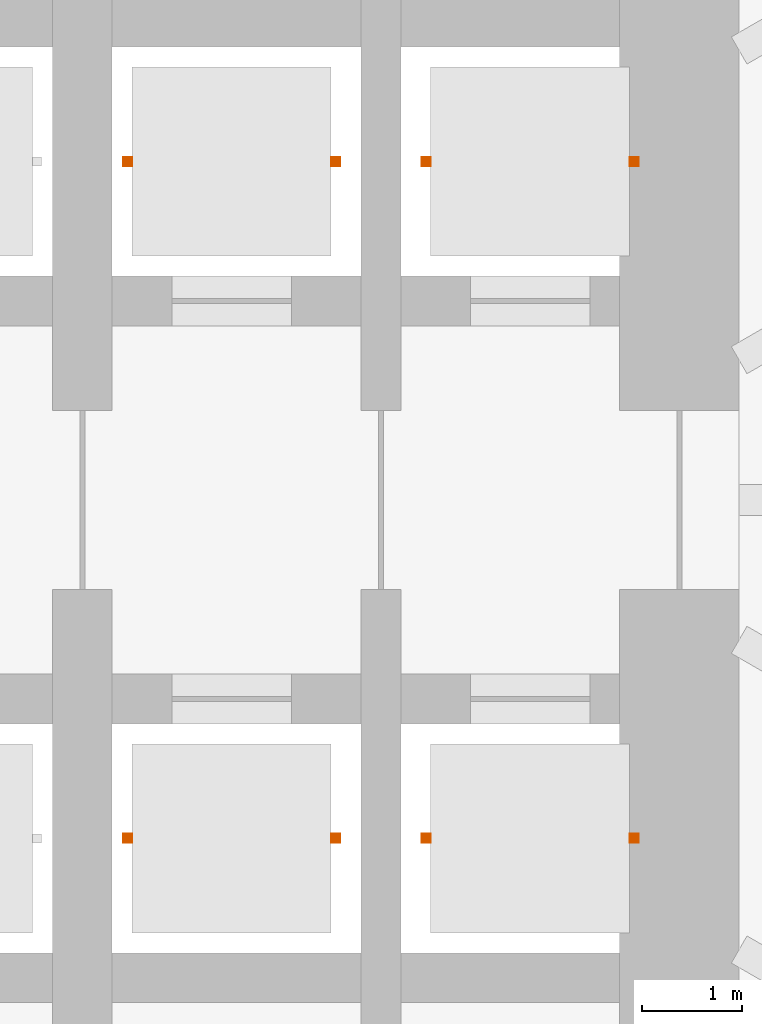
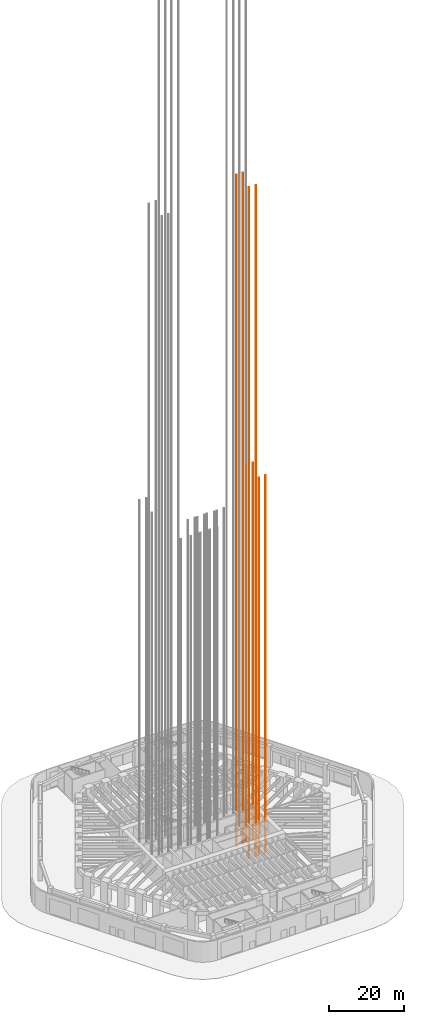
# One storey, part 23 of 23: 4 proxies.
"""IFC4 building model written with IfcOpenShell, lengths in metres."""

from ifc_helpers import new_model, si_unit, direction, frame, frame_2d, origin, origin_2d, place, context, subcontext, project, spatial, rectangle, extrude, material, element, save


model = new_model("IFC4")

# Units and contexts
model_context = context("Model", 3, precision=1e-05, world=origin(), true_north=direction((0.0, 1.0)))
body_context = subcontext(model_context, "Body", "Model", "MODEL_VIEW")
ifc_project = project(units=[si_unit("LENGTHUNIT", "METRE"), si_unit("AREAUNIT", "SQUARE_METRE"), si_unit("VOLUMEUNIT", "CUBIC_METRE"), si_unit("PLANEANGLEUNIT", "RADIAN"), si_unit("MASSUNIT", "GRAM", prefix="KILO")], contexts=[model_context])

# Site, building, storey
site_placement = place(None, origin())
site = spatial("IfcSite", under=ifc_project, at=site_placement, CompositionType="ELEMENT")
building_placement = place(site_placement, origin())
building = spatial("IfcBuilding", under=site, at=building_placement, Name="Tarfa Lantern Tower", CompositionType="ELEMENT")
storey_placement = place(building_placement, origin())
storey = spatial("IfcBuildingStorey", under=building, at=storey_placement, Name="L00", CompositionType="ELEMENT", Elevation=0.0)

# Proxies
ifc_material = material(Name="Steel S355", Category="steel")
proxy_1_placement = place(storey_placement, frame((12.455078125, 3.39990234375, -4.5), z_axis=(0.0, 0.0, 1.0), x_axis=(1.0, 0.0, 0.0)))
element("IfcBuildingElementProxy", 1, at=proxy_1_placement, inside=storey, material=ifc_material, Name="Guide rails S6", PredefinedType="NOTDEFINED", context=body_context, shape_type="SweptSolid", body=[
    extrude(rectangle(XDim=0.090087890625, YDim=0.090087890625, at=origin_2d()), origin(), (0.0, 0.0, 1.0), 219.449951171875),
    extrude(rectangle(XDim=0.090087890625, YDim=0.090087890625, at=frame_2d((2.08984375, 0.0))), origin(), (0.0, 0.0, 1.0), 219.449951171875),
])
for number, where, z_axis, x_axis, name in (
    (2, (15.455078125, 3.39990234375, -4.5), (0.0, 0.0, 1.0), (1.0, 0.0, 0.0), "Guide rails S2"),
    (3, (15.455078125, -3.39990234375, -4.5), (0.0, 0.0, 1.0), (1.0, 0.0, 0.0), "Guide rails S3"),
):
    element("IfcBuildingElementProxy", number, at=place(storey_placement, frame(where, z_axis=z_axis, x_axis=x_axis)), inside=storey, material=ifc_material, Name=name, PredefinedType="NOTDEFINED", context=body_context, shape_type="SweptSolid", body=[
        extrude(rectangle(XDim=0.090087890625, YDim=0.090087890625, at=origin_2d()), origin(), (0.0, 0.0, 1.0), 123.449951171875),
        extrude(rectangle(XDim=0.090087890625, YDim=0.090087890625, at=frame_2d((2.08984375, 0.0))), origin(), (0.0, 0.0, 1.0), 123.449951171875),
    ])
proxy_2_placement = place(storey_placement, frame((12.455078125, -3.39990234375, -4.5), z_axis=(0.0, 0.0, 1.0), x_axis=(1.0, 0.0, 0.0)))
element("IfcBuildingElementProxy", 4, at=proxy_2_placement, inside=storey, material=ifc_material, Name="Guide rails S7", PredefinedType="NOTDEFINED", context=body_context, shape_type="SweptSolid", body=[
    extrude(rectangle(XDim=0.090087890625, YDim=0.090087890625, at=origin_2d()), origin(), (0.0, 0.0, 1.0), 219.449951171875),
    extrude(rectangle(XDim=0.090087890625, YDim=0.090087890625, at=frame_2d((2.08984375, 0.0))), origin(), (0.0, 0.0, 1.0), 219.449951171875),
])

save(model, "model.ifc")
